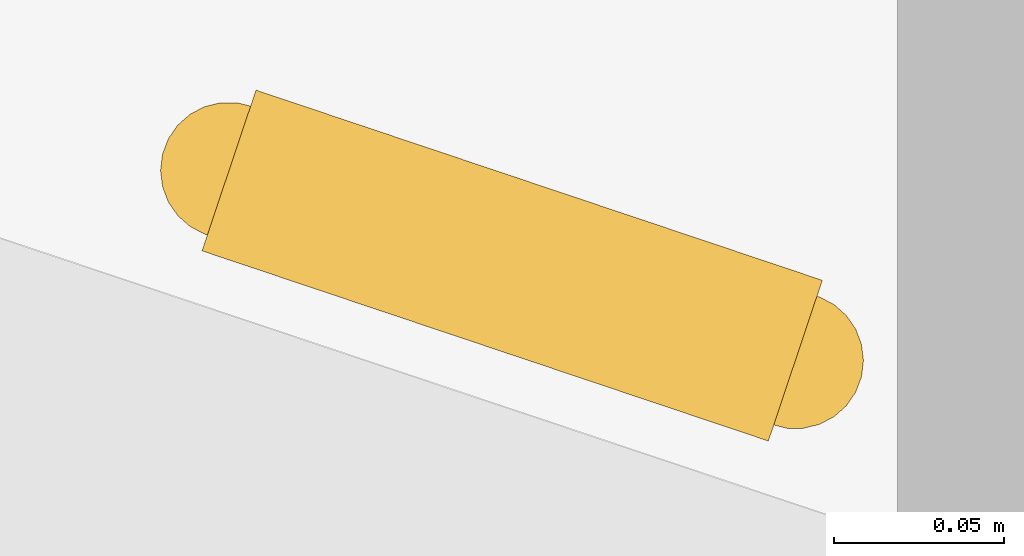
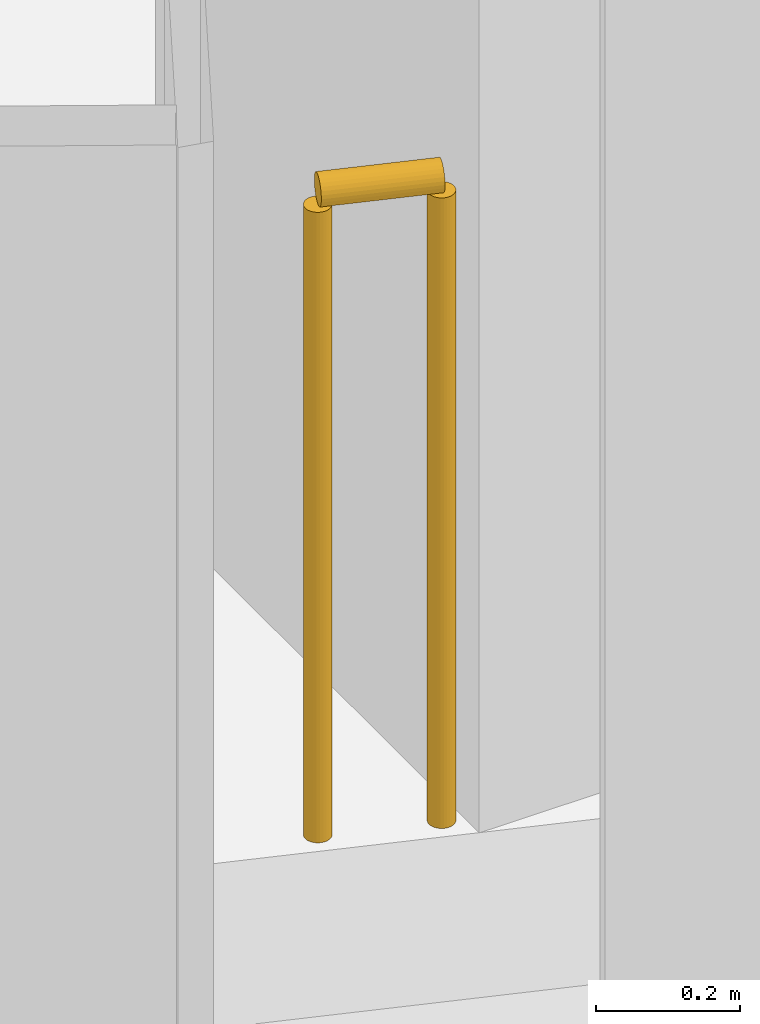
# One storey, part 24 of 26: 1 railing.
"""IFC4 building model written with IfcOpenShell, lengths in metres."""

from ifc_helpers import new_model, si_unit, direction, frame, origin, origin_2d, place, context, subcontext, project, spatial, circle, extrude, material, type_object, element, save


model = new_model("IFC4")

# Units and contexts
model_context = context("Model", 3, precision=1e-05, world=origin(), true_north=direction((0.0, 1.0)))
body_context = subcontext(model_context, "Body", "Model", "MODEL_VIEW")
ifc_project = project(units=[si_unit("LENGTHUNIT", "METRE"), si_unit("AREAUNIT", "SQUARE_METRE"), si_unit("VOLUMEUNIT", "CUBIC_METRE"), si_unit("PLANEANGLEUNIT", "RADIAN"), si_unit("MASSUNIT", "GRAM", prefix="KILO")], contexts=[model_context])

# Site, building, storey
site_placement = place(None, origin())
site = spatial("IfcSite", under=ifc_project, at=site_placement, CompositionType="ELEMENT")
building_placement = place(site_placement, origin())
building = spatial("IfcBuilding", under=site, at=building_placement, Name="Orlundy Tower", CompositionType="ELEMENT")
storey_placement = place(building_placement, frame((0.0, 0.0, 156.10009765625)))
storey = spatial("IfcBuildingStorey", under=building, at=storey_placement, Name="L40", CompositionType="ELEMENT", Elevation=156.10009765625)

# Railing
ifc_material = material(Name="Stainless steel bronze finish", Category="steel")
railing_type = type_object("IfcRailingType", Name="TG1 terrace guard", PredefinedType="GUARDRAIL", material=ifc_material)
railing_placement = place(storey_placement, frame((-28.468017578125, -53.17529296875, 0.0)))
element("IfcRailing", 1, at=railing_placement, inside=storey, type_object=railing_type, Name="Guard TG-L40-E00", PredefinedType="GUARDRAIL", context=body_context, shape_type="SweptSolid", body=[
    extrude(circle(Radius=0.02490234375, at=origin_2d()), frame((0.0, 0.0, 1.09521484375), z_axis=(-0.947986002429, 0.318312015478, 0.0), x_axis=(-0.318312015478, -0.947986002429, 0.0)), (0.0, 0.0, 1.0), 0.175537109375),
    extrude(circle(Radius=0.02001953125, at=origin_2d()), origin(), (0.0, 0.0, 1.0), 1.070068359375),
    extrude(circle(Radius=0.02001953125, at=origin_2d()), frame((-0.16650390625, 0.055908203125, 0.0)), (0.0, 0.0, 1.0), 1.070068359375),
])

save(model, "model.ifc")
